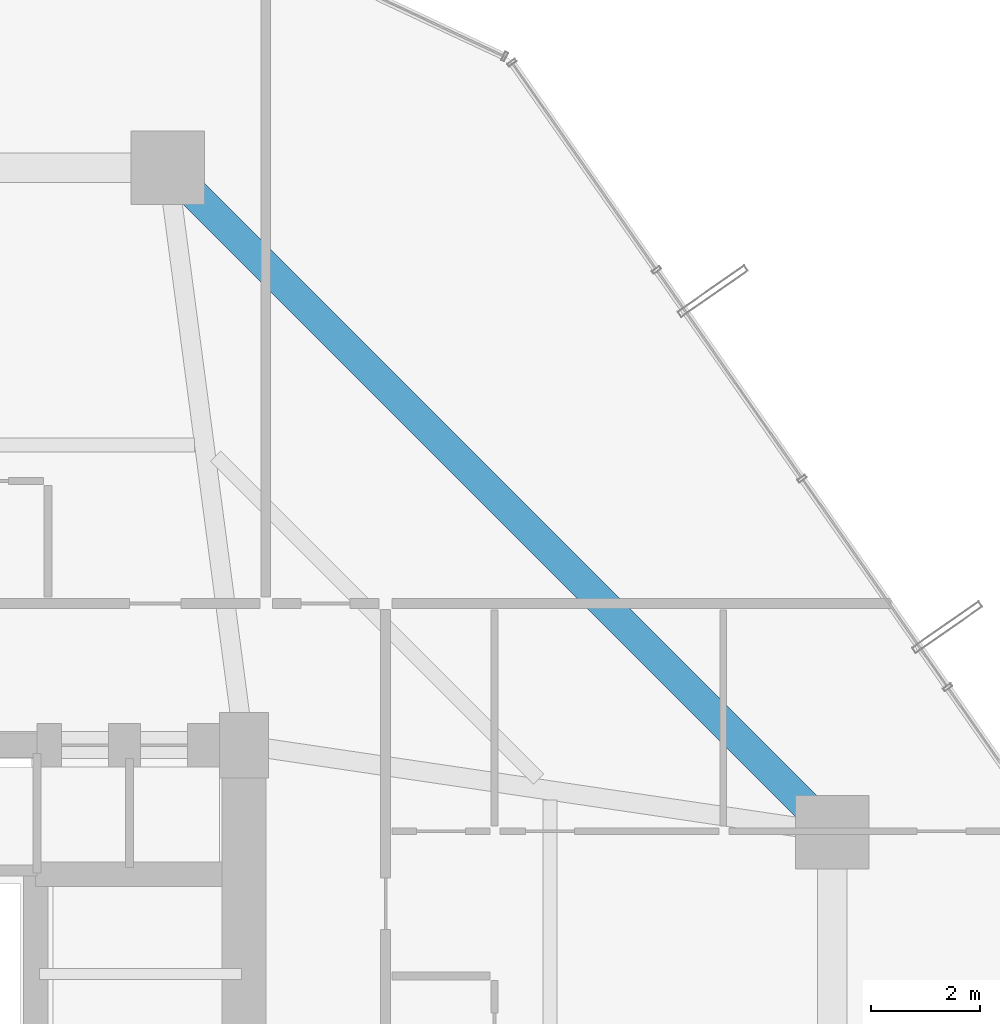
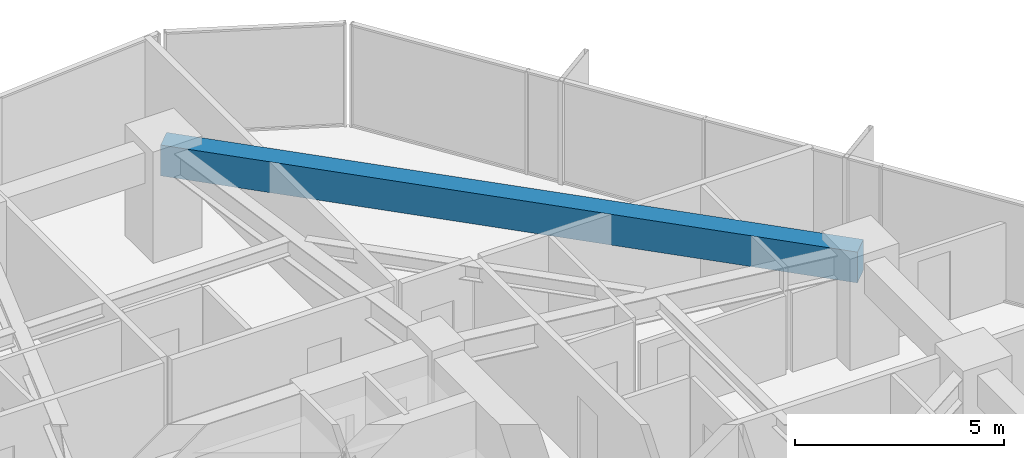
# One storey, part 28 of 37: 1 beam.
"""IFC4 building model written with IfcOpenShell, lengths in metres."""

from ifc_helpers import new_model, si_unit, direction, frame, origin, origin_2d, place, context, subcontext, project, spatial, rectangle, extrude, material, material_profile, profile_set, type_object, element, save


model = new_model("IFC4")

# Units and contexts
model_context = context("Model", 3, precision=1e-05, world=origin(), true_north=direction((0.0, 1.0)))
body_context = subcontext(model_context, "Body", "Model", "MODEL_VIEW")
ifc_project = project(units=[si_unit("LENGTHUNIT", "METRE"), si_unit("AREAUNIT", "SQUARE_METRE"), si_unit("VOLUMEUNIT", "CUBIC_METRE"), si_unit("PLANEANGLEUNIT", "RADIAN"), si_unit("MASSUNIT", "GRAM", prefix="KILO")], contexts=[model_context])

# Site, building, storey
site_placement = place(None, origin())
site = spatial("IfcSite", under=ifc_project, at=site_placement, CompositionType="ELEMENT")
building_placement = place(site_placement, origin())
building = spatial("IfcBuilding", under=site, at=building_placement, Name="Veraguas Prism Commons", CompositionType="ELEMENT")
storey_placement = place(building_placement, frame((0.0, 0.0, 40.300048828125)))
storey = spatial("IfcBuildingStorey", under=building, at=storey_placement, Name="L10", CompositionType="ELEMENT", Elevation=40.300048828125)

# Beam
ifc_material = material(Name="Concrete C50/60", Category="concrete")
ifc_material_profile = material_profile(ifc_material, rectangle(XDim=0.550048828125, YDim=0.89990234375, at=origin_2d()), Name="RC550X900")
ifc_profile_set = profile_set([ifc_material_profile], Name="Concrete C50/60")
beam_type = type_object("IfcBeamType", Name="Perimeter Spandrel Lower RC 550x900", PredefinedType="SPANDREL", material=ifc_profile_set)
beam_placement = place(storey_placement, frame((41.60009765625, 29.39990234375, 2.550048828125), z_axis=(-0.707106781187, 0.707106781187, 0.0), x_axis=(-0.707106781187, -0.707106781187, 0.0)))
element("IfcBeam", 1, at=beam_placement, inside=storey, type_object=beam_type, Name="Perimeter Spandrel Beam L10-SP03", PredefinedType="SPANDREL", context=body_context, shape_type="SweptSolid", body=[
    extrude(rectangle(XDim=0.550048828125, YDim=0.89990234375, at=origin_2d()), origin(), (0.0, 0.0, 1.0), 17.253662109375),
])

save(model, "model.ifc")
